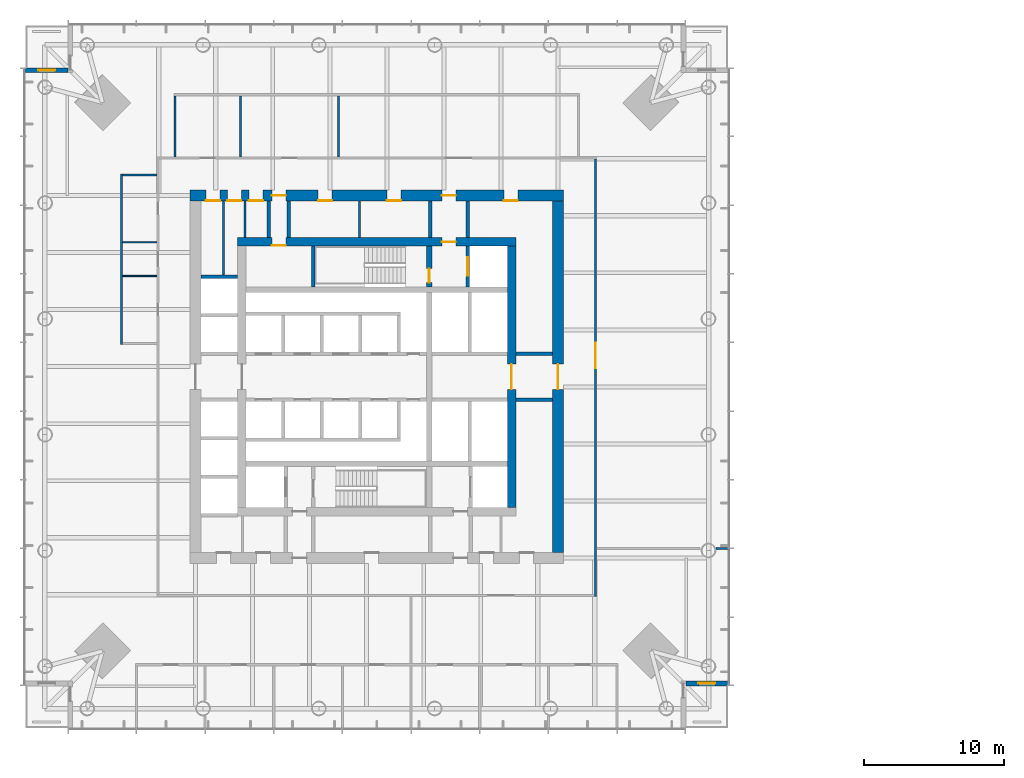
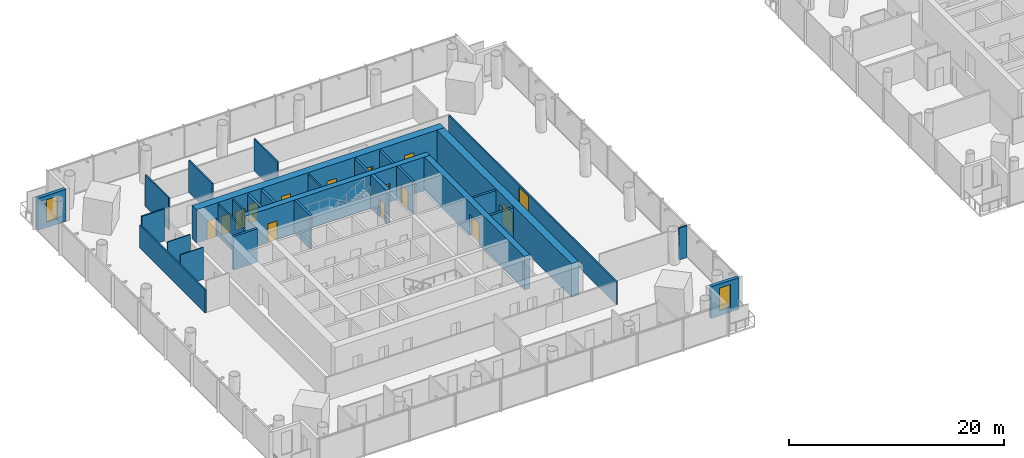
# One storey, part 12 of 21: 28 walls, 15 doors, 2 windows, 17 openings.
"""IFC4 building model written with IfcOpenShell, lengths in metres."""

from ifc_helpers import new_model, si_unit, direction, frame, frame_2d, origin, place, context, subcontext, project, spatial, rectangle, extrude, material, layer, layer_set, type_object, element, fill, save


model = new_model("IFC4")

# Units and contexts
model_context = context("Model", 3, precision=1e-05, world=origin(), true_north=direction((0.0, 1.0)))
body_context = subcontext(model_context, "Body", "Model", "MODEL_VIEW")
ifc_project = project(units=[si_unit("LENGTHUNIT", "METRE"), si_unit("AREAUNIT", "SQUARE_METRE"), si_unit("VOLUMEUNIT", "CUBIC_METRE"), si_unit("PLANEANGLEUNIT", "RADIAN"), si_unit("MASSUNIT", "GRAM", prefix="KILO")], contexts=[model_context])

# Site, building, storey
site_placement = place(None, origin())
site = spatial("IfcSite", under=ifc_project, at=site_placement, CompositionType="ELEMENT")
building_placement = place(site_placement, origin())
building = spatial("IfcBuilding", under=site, at=building_placement, Name="Ostroluk Exchange", CompositionType="ELEMENT")
storey_placement = place(building_placement, frame((0.0, 0.0, 32.39990234375)))
storey = spatial("IfcBuildingStorey", under=building, at=storey_placement, Name="L07", CompositionType="ELEMENT", Elevation=32.39990234375)

# Walls
ifc_material_1 = material(Name="Concrete blockwork", Category="masonry")
ifc_layer_1 = layer(ifc_material_1, 0.10009765625)
ifc_layer_set_1 = layer_set([ifc_layer_1], Name="Blockwork WC wall 100")
wall_type_1 = type_object("IfcWallType", Name="Blockwork WC wall 100", PredefinedType="SOLIDWALL", material=ifc_layer_set_1)
for number, where, z_axis, x_axis, name in (
    (1, (29.35009765625, 55.574951171875, 0.0), (0.0, 0.0, 1.0), (-1.0, 0.0, 0.0), "Blockwork WC wall"),
    (2, (29.35009765625, 53.175048828125, 0.0), (0.0, 0.0, 1.0), (-1.0, 0.0, 0.0), "Blockwork WC wall"),
):
    element("IfcWall", number, at=place(storey_placement, frame(where, z_axis=z_axis, x_axis=x_axis)), inside=storey, type_object=wall_type_1, Name=name, PredefinedType="SOLIDWALL", context=body_context, shape_type="SweptSolid", body=[
        extrude(rectangle(XDim=2.4501953125, YDim=0.10009765625, at=frame_2d((1.22509765625, 0.0))), origin(), (0.0, 0.0, 1.0), 3.6201171875),
    ])
ifc_material_2 = material(Name="Concrete blockwork", Category="masonry")
ifc_layer_2 = layer(ifc_material_2, 0.14990234375)
ifc_layer_set_2 = layer_set([ifc_layer_2], Name="Blockwork plant room wall 150")
wall_type_2 = type_object("IfcWallType", Name="Blockwork plant room wall 150", PredefinedType="SOLIDWALL", material=ifc_layer_set_2)
wall_1_placement = place(storey_placement, frame((34.089599609375, 53.25, 0.0), z_axis=(0.0, 0.0, 1.0), x_axis=(0.0, 1.0, 0.0)))
element("IfcWall", 3, at=wall_1_placement, inside=storey, type_object=wall_type_2, Name="Core room wall", PredefinedType="SOLIDWALL", context=body_context, shape_type="SweptSolid", body=[
    extrude(rectangle(XDim=5.25, YDim=0.14990234375, at=frame_2d((2.625, 0.0))), origin(), (0.0, 0.0, 1.0), 3.6201171875),
])
for number, where, z_axis, x_axis, name in (
    (4, (35.63232421875, 55.89990234375, 0.0), (0.0, 0.0, 1.0), (0.0, 1.0, 0.0), "Core room wall"),
    (5, (43.777587890625, 55.89990234375, 0.0), (0.0, 0.0, 1.0), (0.0, 1.0, 0.0), "Core room wall"),
):
    element("IfcWall", number, at=place(storey_placement, frame(where, z_axis=z_axis, x_axis=x_axis)), inside=storey, type_object=wall_type_2, Name=name, PredefinedType="SOLIDWALL", context=body_context, shape_type="SweptSolid", body=[
        extrude(rectangle(XDim=2.60009765625, YDim=0.14990234375, at=frame_2d((1.300048828125, 0.0))), origin(), (0.0, 0.0, 1.0), 3.6201171875),
    ])
ifc_material_3 = material(Name="Concrete blockwork", Category="masonry")
ifc_layer_3 = layer(ifc_material_3, 0.25)
ifc_layer_set_3 = layer_set([ifc_layer_3], Name="Blockwork stair enclosure wall 250")
wall_type_3 = type_object("IfcWallType", Name="Blockwork stair enclosure wall 250", PredefinedType="SOLIDWALL", material=ifc_layer_set_3)
for number, where, z_axis, x_axis, name in (
    (6, (48.804931640625, 55.89990234375, 0.0), (0.0, 0.0, 1.0), (0.0, 1.0, 0.0), "Fire lobby enclosure wall"),
    (7, (51.47509765625, 55.89990234375, 0.0), (0.0, 0.0, 1.0), (0.0, 1.0, 0.0), "Fire lobby enclosure wall"),
    (8, (54.89990234375, 44.375, 0.0), (0.0, 0.0, 1.0), (1.0, 0.0, 0.0), "Lift lobby enclosure wall"),
    (9, (54.89990234375, 47.625, 0.0), (0.0, 0.0, 1.0), (1.0, 0.0, 0.0), "Lift lobby enclosure wall"),
    (10, (37.300048828125, 55.89990234375, 0.0), (0.0, 0.0, 1.0), (0.0, 1.0, 0.0), "Core corridor wall"),
    (11, (38.75, 55.89990234375, 0.0), (0.0, 0.0, 1.0), (0.0, 1.0, 0.0), "Core corridor wall"),
):
    element("IfcWall", number, at=place(storey_placement, frame(where, z_axis=z_axis, x_axis=x_axis)), inside=storey, type_object=wall_type_3, Name=name, PredefinedType="SOLIDWALL", context=body_context, shape_type="SweptSolid", body=[
        extrude(rectangle(XDim=2.60009765625, YDim=0.25, at=frame_2d((1.300048828125, 0.0))), origin(), (0.0, 0.0, 1.0), 3.6201171875),
    ])

# Wall, opening, door
ifc_material_4 = material(Name="Concrete C50/60", Category="concrete")
ifc_layer_4 = layer(ifc_material_4, 0.39990234375)
ifc_layer_set_4 = layer_set([ifc_layer_4], Name="Core cross wall 400 C50/60")
wall_type_4 = type_object("IfcWallType", Name="Core cross wall 400 C50/60", PredefinedType="SHEAR", material=ifc_layer_set_4)
wall_2_placement = place(storey_placement, frame((48.72998046875, 52.39990234375, 0.0), z_axis=(0.0, 0.0, 1.0), x_axis=(0.0, 1.0, 0.0)))
wall_2 = element("IfcWall", 12, at=wall_2_placement, inside=storey, type_object=wall_type_4, Name="T1 core wall YE3", PredefinedType="SHEAR", context=body_context, shape_type="SweptSolid", body=[
    extrude(rectangle(XDim=2.900146484375, YDim=0.39990234375, at=frame_2d((1.4501953125, 0.0))), origin(), (0.0, 0.0, 1.0), 3.800048828125),
])
opening_1_placement = place(wall_2_placement, frame((0.300048828125, 0.0, 0.0)))
opening_1 = element("IfcOpeningElement", 13, at=opening_1_placement, cuts=wall_2, Name="Opening FD60", PredefinedType="OPENING", context=body_context, shape_type="SweptSolid", body=[
    extrude(rectangle(XDim=1.0, YDim=2.10009765625, at=frame_2d((0.5, 1.050048828125))), frame((0.0, 0.2099609375, 0.0), z_axis=(0.0, -1.0, 0.0), x_axis=(1.0, 0.0, 0.0)), (0.0, 0.0, 1.0), 0.419921875),
])
ifc_material_5 = material(Name="Steel", Category="steel")
door_type_1 = type_object("IfcDoorType", Name="Fire door EI 60 1000 x 2100", OperationType="SINGLE_SWING_LEFT", PredefinedType="DOOR", material=ifc_material_5)
door_1_placement = place(opening_1_placement, origin())
door_1 = element("IfcDoor", 14, at=door_1_placement, inside=storey, type_object=door_type_1, Name="Stair T1-S2 door", OperationType="SINGLE_SWING_LEFT", OverallHeight=2.10009765625, OverallWidth=1.0, PredefinedType="DOOR", context=body_context, shape_type="SweptSolid", body=[
    extrude(rectangle(XDim=1.0, YDim=2.10009765625, at=frame_2d((0.5, 1.050048828125))), frame((0.0, 0.02490234375, 0.0), z_axis=(0.0, -1.0, 0.0), x_axis=(1.0, 0.0, 0.0)), (0.0, 0.0, 1.0), 0.050048828125),
])
fill(opening_1, door_1)

# Wall
ifc_material_6 = material(Name="Concrete C40/50", Category="concrete")
ifc_layer_5 = layer(ifc_material_6, 0.25)
ifc_layer_set_5 = layer_set([ifc_layer_5], Name="Core shaft wall 250")
wall_type_5 = type_object("IfcWallType", Name="Core shaft wall 250", PredefinedType="SHEAR", material=ifc_layer_set_5)
wall_3_placement = place(storey_placement, frame((40.47509765625, 52.39990234375, 0.0), z_axis=(0.0, 0.0, 1.0), x_axis=(0.0, 1.0, 0.0)))
element("IfcWall", 15, at=wall_3_placement, inside=storey, type_object=wall_type_5, Name="Stair shaft wall", PredefinedType="SHEAR", context=body_context, shape_type="SweptSolid", body=[
    extrude(rectangle(XDim=2.900146484375, YDim=0.25, at=frame_2d((1.4501953125, 0.0))), origin(), (0.0, 0.0, 1.0), 3.800048828125),
])

# Wall, opening, door
wall_4_placement = place(storey_placement, frame((51.47509765625, 52.39990234375, 0.0), z_axis=(0.0, 0.0, 1.0), x_axis=(0.0, 1.0, 0.0)))
wall_4 = element("IfcWall", 16, at=wall_4_placement, inside=storey, type_object=wall_type_5, Name="Firefighting lift shaft wall", PredefinedType="SHEAR", context=body_context, shape_type="SweptSolid", body=[
    extrude(rectangle(XDim=2.900146484375, YDim=0.25, at=frame_2d((1.4501953125, 0.0))), origin(), (0.0, 0.0, 1.0), 3.800048828125),
])
opening_2_placement = place(wall_4_placement, frame((0.800048828125, 0.0, 0.0)))
opening_2 = element("IfcOpeningElement", 17, at=opening_2_placement, cuts=wall_4, Name="Opening LD2", PredefinedType="OPENING", context=body_context, shape_type="SweptSolid", body=[
    extrude(rectangle(XDim=1.300048828125, YDim=2.199951171875, at=frame_2d((0.64990234375, 1.10009765625))), frame((0.0, 0.135009765625, 0.0), z_axis=(0.0, -1.0, 0.0), x_axis=(1.0, 0.0, 0.0)), (0.0, 0.0, 1.0), 0.27001953125),
])
ifc_material_7 = material(Name="Stainless steel", Category="steel")
door_type_2 = type_object("IfcDoorType", Name="Lift landing door E 60 1300 x 2200", OperationType="DOUBLE_DOOR_SLIDING", PredefinedType="DOOR", material=ifc_material_7)
door_2_placement = place(opening_2_placement, origin())
door_2 = element("IfcDoor", 18, at=door_2_placement, inside=storey, type_object=door_type_2, Name="Lift FL2 landing door", OperationType="DOUBLE_DOOR_SLIDING", OverallHeight=2.199951171875, OverallWidth=1.300048828125, PredefinedType="DOOR", context=body_context, shape_type="SweptSolid", body=[
    extrude(rectangle(XDim=1.300048828125, YDim=2.199951171875, at=frame_2d((0.64990234375, 1.10009765625))), frame((0.0, 0.02490234375, 0.0), z_axis=(0.0, -1.0, 0.0), x_axis=(1.0, 0.0, 0.0)), (0.0, 0.0, 1.0), 0.050048828125),
])
fill(opening_2, door_2)

# Wall
wall_5_placement = place(storey_placement, frame((32.5, 53.125, 0.0), z_axis=(0.0, 0.0, 1.0), x_axis=(1.0, 0.0, 0.0)))
element("IfcWall", 19, at=wall_5_placement, inside=storey, type_object=wall_type_5, Name="Lift shaft wall", PredefinedType="SHEAR", context=body_context, shape_type="SweptSolid", body=[
    extrude(rectangle(XDim=2.60009765625, YDim=0.25, at=frame_2d((1.300048828125, 0.0))), origin(), (0.0, 0.0, 1.0), 3.800048828125),
])

# Wall, openings, doors
ifc_material_8 = material(Name="Concrete C50/60", Category="concrete")
ifc_layer_6 = layer(ifc_material_8, 0.60009765625)
ifc_layer_set_6 = layer_set([ifc_layer_6], Name="Core wall 600 C50/60")
wall_type_6 = type_object("IfcWallType", Name="Core wall 600 C50/60", PredefinedType="SHEAR", material=ifc_layer_set_6)
wall_6_placement = place(storey_placement, frame((35.10009765625, 55.60009765625, 0.0), z_axis=(0.0, 0.0, 1.0), x_axis=(1.0, 0.0, 0.0)))
wall_6 = element("IfcWall", 20, at=wall_6_placement, inside=storey, type_object=wall_type_6, Name="T1 core wall N", PredefinedType="SHEAR", context=body_context, shape_type="SweptSolid", body=[
    extrude(rectangle(XDim=19.7998046875, YDim=0.60009765625, at=frame_2d((9.89990234375, 0.0))), origin(), (0.0, 0.0, 1.0), 3.800048828125),
])
opening_3_placement = place(wall_6_placement, frame((14.5400390625, 0.0, 0.0)))
opening_3 = element("IfcOpeningElement", 21, at=opening_3_placement, cuts=wall_6, Name="Opening FD60", PredefinedType="OPENING", context=body_context, shape_type="SweptSolid", body=[
    extrude(rectangle(XDim=1.0, YDim=2.10009765625, at=frame_2d((0.5, 1.050048828125))), frame((0.0, 0.31005859375, 0.0), z_axis=(0.0, -1.0, 0.0), x_axis=(1.0, 0.0, 0.0)), (0.0, 0.0, 1.0), 0.6201171875),
])
opening_4_placement = place(wall_6_placement, frame((2.425048828125, 0.0, 0.0)))
opening_4 = element("IfcOpeningElement", 22, at=opening_4_placement, cuts=wall_6, Name="Opening FD60", PredefinedType="OPENING", context=body_context, shape_type="SweptSolid", body=[
    extrude(rectangle(XDim=1.0, YDim=2.10009765625, at=frame_2d((0.5, 1.050048828125))), frame((0.0, 0.31005859375, 0.0), z_axis=(0.0, -1.0, 0.0), x_axis=(1.0, 0.0, 0.0)), (0.0, 0.0, 1.0), 0.6201171875),
])
door_3_placement = place(opening_3_placement, origin())
door_3 = element("IfcDoor", 23, at=door_3_placement, inside=storey, type_object=door_type_1, Name="Firefighting lobby door", OperationType="SINGLE_SWING_RIGHT", OverallHeight=2.10009765625, OverallWidth=1.0, PredefinedType="DOOR", context=body_context, shape_type="SweptSolid", body=[
    extrude(rectangle(XDim=1.0, YDim=2.10009765625, at=frame_2d((0.5, 1.050048828125))), frame((0.0, 0.02490234375, 0.0), z_axis=(0.0, -1.0, 0.0), x_axis=(1.0, 0.0, 0.0)), (0.0, 0.0, 1.0), 0.050048828125),
])
fill(opening_3, door_3)
door_4_placement = place(opening_4_placement, origin())
door_4 = element("IfcDoor", 24, at=door_4_placement, inside=storey, type_object=door_type_1, Name="Tea point door", OperationType="SINGLE_SWING_LEFT", OverallHeight=2.10009765625, OverallWidth=1.0, PredefinedType="DOOR", context=body_context, shape_type="SweptSolid", body=[
    extrude(rectangle(XDim=1.0, YDim=2.10009765625, at=frame_2d((0.5, 1.050048828125))), frame((0.0, -0.23974609375, 0.0), z_axis=(0.0, -1.0, 0.0), x_axis=(1.0, 0.0, 0.0)), (0.0, 0.0, 1.0), 0.050048828125),
])
fill(opening_4, door_4)

# Wall, opening, door
wall_7_placement = place(storey_placement, frame((54.60009765625, 36.699951171875, 0.0), z_axis=(0.0, 0.0, 1.0), x_axis=(0.0, 1.0, 0.0)))
wall_7 = element("IfcWall", 25, at=wall_7_placement, inside=storey, type_object=wall_type_6, Name="T1 core wall E", PredefinedType="SHEAR", context=body_context, shape_type="SweptSolid", body=[
    extrude(rectangle(XDim=18.60009765625, YDim=0.60009765625, at=frame_2d((9.300048828125, 0.0))), origin(), (0.0, 0.0, 1.0), 3.800048828125),
])
opening_5_placement = place(wall_7_placement, frame((8.39990234375, 0.0, 0.0)))
opening_5 = element("IfcOpeningElement", 26, at=opening_5_placement, cuts=wall_7, Name="Opening FD30D", PredefinedType="OPENING", context=body_context, shape_type="SweptSolid", body=[
    extrude(rectangle(XDim=1.800048828125, YDim=2.39990234375, at=frame_2d((0.89990234375, 1.199951171875))), frame((0.0, 0.31005859375, 0.0), z_axis=(0.0, -1.0, 0.0), x_axis=(1.0, 0.0, 0.0)), (0.0, 0.0, 1.0), 0.6201171875),
])
ifc_material_9 = material(Name="Timber", Category="wood")
door_type_3 = type_object("IfcDoorType", Name="Lobby double door EI 30 1800 x 2400", OperationType="DOUBLE_DOOR_SINGLE_SWING", PredefinedType="DOOR", material=ifc_material_9)
door_5_placement = place(opening_5_placement, origin())
door_5 = element("IfcDoor", 27, at=door_5_placement, inside=storey, type_object=door_type_3, Name="Lift lobby doors", OperationType="DOUBLE_DOOR_SINGLE_SWING", OverallHeight=2.39990234375, OverallWidth=1.800048828125, PredefinedType="DOOR", context=body_context, shape_type="SweptSolid", body=[
    extrude(rectangle(XDim=1.800048828125, YDim=2.39990234375, at=frame_2d((0.89990234375, 1.199951171875))), frame((0.0, 0.02490234375, 0.0), z_axis=(0.0, -1.0, 0.0), x_axis=(1.0, 0.0, 0.0)), (0.0, 0.0, 1.0), 0.050048828125),
])
fill(opening_5, door_5)

# Wall, openings, doors
ifc_material_10 = material(Name="Concrete C50/60", Category="concrete")
ifc_layer_7 = layer(ifc_material_10, 0.800048828125)
ifc_layer_set_7 = layer_set([ifc_layer_7], Name="Core wall 800 C50/60")
wall_type_7 = type_object("IfcWallType", Name="Core wall 800 C50/60", PredefinedType="SHEAR", material=ifc_layer_set_7)
wall_8_placement = place(storey_placement, frame((31.699951171875, 58.89990234375, 0.0), z_axis=(0.0, 0.0, 1.0), x_axis=(1.0, 0.0, 0.0)))
wall_8 = element("IfcWall", 28, at=wall_8_placement, inside=storey, type_object=wall_type_7, Name="T1 core wall RN", PredefinedType="SHEAR", context=body_context, shape_type="SweptSolid", body=[
    extrude(rectangle(XDim=26.60009765625, YDim=0.800048828125, at=frame_2d((13.300048828125, 0.0))), origin(), (0.0, 0.0, 1.0), 3.800048828125),
])
opening_6_placement = place(wall_8_placement, frame((17.93994140625, 0.0, 0.0)))
opening_6 = element("IfcOpeningElement", 29, at=opening_6_placement, cuts=wall_8, Name="Opening FD60", PredefinedType="OPENING", context=body_context, shape_type="SweptSolid", body=[
    extrude(rectangle(XDim=1.0, YDim=2.10009765625, at=frame_2d((0.5, 1.050048828125))), frame((0.0, 0.409912109375, 0.0), z_axis=(0.0, -1.0, 0.0), x_axis=(1.0, 0.0, 0.0)), (0.0, 0.0, 1.0), 0.820068359375),
])
opening_7_placement = place(wall_8_placement, frame((5.824951171875, 0.0, 0.0)))
opening_7 = element("IfcOpeningElement", 30, at=opening_7_placement, cuts=wall_8, Name="Opening FD60", PredefinedType="OPENING", context=body_context, shape_type="SweptSolid", body=[
    extrude(rectangle(XDim=1.0, YDim=2.10009765625, at=frame_2d((0.5, 1.050048828125))), frame((0.0, 0.409912109375, 0.0), z_axis=(0.0, -1.0, 0.0), x_axis=(1.0, 0.0, 0.0)), (0.0, 0.0, 1.0), 0.820068359375),
])
opening_8_placement = place(wall_8_placement, frame((1.139404296875, 0.0, 0.0)))
opening_8 = element("IfcOpeningElement", 31, at=opening_8_placement, cuts=wall_8, Name="Opening FD60", PredefinedType="OPENING", context=body_context, shape_type="SweptSolid", body=[
    extrude(rectangle(XDim=1.0, YDim=2.10009765625, at=frame_2d((0.5, 1.050048828125))), frame((0.0, 0.409912109375, 0.0), z_axis=(0.0, -1.0, 0.0), x_axis=(1.0, 0.0, 0.0)), (0.0, 0.0, 1.0), 0.820068359375),
])
opening_9_placement = place(wall_8_placement, frame((2.660888671875, 0.0, 0.0)))
opening_9 = element("IfcOpeningElement", 32, at=opening_9_placement, cuts=wall_8, Name="Opening FD60", PredefinedType="OPENING", context=body_context, shape_type="SweptSolid", body=[
    extrude(rectangle(XDim=1.0, YDim=2.10009765625, at=frame_2d((0.5, 1.050048828125))), frame((0.0, 0.409912109375, 0.0), z_axis=(0.0, -1.0, 0.0), x_axis=(1.0, 0.0, 0.0)), (0.0, 0.0, 1.0), 0.820068359375),
])
opening_10_placement = place(wall_8_placement, frame((4.20361328125, 0.0, 0.0)))
opening_10 = element("IfcOpeningElement", 33, at=opening_10_placement, cuts=wall_8, Name="Opening FD60", PredefinedType="OPENING", context=body_context, shape_type="SweptSolid", body=[
    extrude(rectangle(XDim=1.0, YDim=2.10009765625, at=frame_2d((0.5, 1.050048828125))), frame((0.0, 0.409912109375, 0.0), z_axis=(0.0, -1.0, 0.0), x_axis=(1.0, 0.0, 0.0)), (0.0, 0.0, 1.0), 0.820068359375),
])
opening_11_placement = place(wall_8_placement, frame((9.126220703125, 0.0, 0.0)))
opening_11 = element("IfcOpeningElement", 34, at=opening_11_placement, cuts=wall_8, Name="Opening FD60", PredefinedType="OPENING", context=body_context, shape_type="SweptSolid", body=[
    extrude(rectangle(XDim=1.0, YDim=2.10009765625, at=frame_2d((0.5, 1.050048828125))), frame((0.0, 0.409912109375, 0.0), z_axis=(0.0, -1.0, 0.0), x_axis=(1.0, 0.0, 0.0)), (0.0, 0.0, 1.0), 0.820068359375),
])
opening_12_placement = place(wall_8_placement, frame((14.02880859375, 0.0, 0.0)))
opening_12 = element("IfcOpeningElement", 35, at=opening_12_placement, cuts=wall_8, Name="Opening FD60", PredefinedType="OPENING", context=body_context, shape_type="SweptSolid", body=[
    extrude(rectangle(XDim=1.0, YDim=2.10009765625, at=frame_2d((0.5, 1.050048828125))), frame((0.0, 0.409912109375, 0.0), z_axis=(0.0, -1.0, 0.0), x_axis=(1.0, 0.0, 0.0)), (0.0, 0.0, 1.0), 0.820068359375),
])
opening_13_placement = place(wall_8_placement, frame((22.35009765625, 0.0, 0.0)))
opening_13 = element("IfcOpeningElement", 36, at=opening_13_placement, cuts=wall_8, Name="Opening FD60", PredefinedType="OPENING", context=body_context, shape_type="SweptSolid", body=[
    extrude(rectangle(XDim=1.0, YDim=2.10009765625, at=frame_2d((0.5, 1.050048828125))), frame((0.0, 0.409912109375, 0.0), z_axis=(0.0, -1.0, 0.0), x_axis=(1.0, 0.0, 0.0)), (0.0, 0.0, 1.0), 0.820068359375),
])
door_6_placement = place(opening_6_placement, origin())
door_6 = element("IfcDoor", 37, at=door_6_placement, inside=storey, type_object=door_type_1, Name="Firefighting lobby door", OperationType="SINGLE_SWING_RIGHT", OverallHeight=2.10009765625, OverallWidth=1.0, PredefinedType="DOOR", context=body_context, shape_type="SweptSolid", body=[
    extrude(rectangle(XDim=1.0, YDim=2.10009765625, at=frame_2d((0.5, 1.050048828125))), frame((0.0, 0.02490234375, 0.0), z_axis=(0.0, -1.0, 0.0), x_axis=(1.0, 0.0, 0.0)), (0.0, 0.0, 1.0), 0.050048828125),
])
fill(opening_6, door_6)
door_7_placement = place(opening_7_placement, origin())
door_7 = element("IfcDoor", 38, at=door_7_placement, inside=storey, type_object=door_type_1, Name="Core corridor door", OperationType="SINGLE_SWING_LEFT", OverallHeight=2.10009765625, OverallWidth=1.0, PredefinedType="DOOR", context=body_context, shape_type="SweptSolid", body=[
    extrude(rectangle(XDim=1.0, YDim=2.10009765625, at=frame_2d((0.5, 1.050048828125))), frame((0.0, 0.02490234375, 0.0), z_axis=(0.0, -1.0, 0.0), x_axis=(1.0, 0.0, 0.0)), (0.0, 0.0, 1.0), 0.050048828125),
])
fill(opening_7, door_7)
door_8_placement = place(opening_8_placement, origin())
door_8 = element("IfcDoor", 39, at=door_8_placement, inside=storey, type_object=door_type_1, Name="Tenant IT room door", OperationType="SINGLE_SWING_LEFT", OverallHeight=2.10009765625, OverallWidth=1.0, PredefinedType="DOOR", context=body_context, shape_type="SweptSolid", body=[
    extrude(rectangle(XDim=1.0, YDim=2.10009765625, at=frame_2d((0.5, 1.050048828125))), frame((0.0, -0.33984375, 0.0), z_axis=(0.0, -1.0, 0.0), x_axis=(1.0, 0.0, 0.0)), (0.0, 0.0, 1.0), 0.050048828125),
])
fill(opening_8, door_8)
door_9_placement = place(opening_9_placement, origin())
door_9 = element("IfcDoor", 40, at=door_9_placement, inside=storey, type_object=door_type_1, Name="First aid room door", OperationType="SINGLE_SWING_LEFT", OverallHeight=2.10009765625, OverallWidth=1.0, PredefinedType="DOOR", context=body_context, shape_type="SweptSolid", body=[
    extrude(rectangle(XDim=1.0, YDim=2.10009765625, at=frame_2d((0.5, 1.050048828125))), frame((0.0, -0.33984375, 0.0), z_axis=(0.0, -1.0, 0.0), x_axis=(1.0, 0.0, 0.0)), (0.0, 0.0, 1.0), 0.050048828125),
])
fill(opening_9, door_9)
door_10_placement = place(opening_10_placement, origin())
door_10 = element("IfcDoor", 41, at=door_10_placement, inside=storey, type_object=door_type_1, Name="Store door", OperationType="SINGLE_SWING_LEFT", OverallHeight=2.10009765625, OverallWidth=1.0, PredefinedType="DOOR", context=body_context, shape_type="SweptSolid", body=[
    extrude(rectangle(XDim=1.0, YDim=2.10009765625, at=frame_2d((0.5, 1.050048828125))), frame((0.0, -0.33984375, 0.0), z_axis=(0.0, -1.0, 0.0), x_axis=(1.0, 0.0, 0.0)), (0.0, 0.0, 1.0), 0.050048828125),
])
fill(opening_10, door_10)
door_11_placement = place(opening_11_placement, origin())
door_11 = element("IfcDoor", 42, at=door_11_placement, inside=storey, type_object=door_type_1, Name="Print and post room door", OperationType="SINGLE_SWING_LEFT", OverallHeight=2.10009765625, OverallWidth=1.0, PredefinedType="DOOR", context=body_context, shape_type="SweptSolid", body=[
    extrude(rectangle(XDim=1.0, YDim=2.10009765625, at=frame_2d((0.5, 1.050048828125))), frame((0.0, -0.33984375, 0.0), z_axis=(0.0, -1.0, 0.0), x_axis=(1.0, 0.0, 0.0)), (0.0, 0.0, 1.0), 0.050048828125),
])
fill(opening_11, door_11)
door_12_placement = place(opening_12_placement, origin())
door_12 = element("IfcDoor", 43, at=door_12_placement, inside=storey, type_object=door_type_1, Name="Archive door", OperationType="SINGLE_SWING_RIGHT", OverallHeight=2.10009765625, OverallWidth=1.0, PredefinedType="DOOR", context=body_context, shape_type="SweptSolid", body=[
    extrude(rectangle(XDim=1.0, YDim=2.10009765625, at=frame_2d((0.5, 1.050048828125))), frame((0.0, -0.33984375, 0.0), z_axis=(0.0, -1.0, 0.0), x_axis=(1.0, 0.0, 0.0)), (0.0, 0.0, 1.0), 0.050048828125),
])
fill(opening_12, door_12)
door_13_placement = place(opening_13_placement, origin())
door_13 = element("IfcDoor", 44, at=door_13_placement, inside=storey, type_object=door_type_1, Name="First aid room door", OperationType="SINGLE_SWING_RIGHT", OverallHeight=2.10009765625, OverallWidth=1.0, PredefinedType="DOOR", context=body_context, shape_type="SweptSolid", body=[
    extrude(rectangle(XDim=1.0, YDim=2.10009765625, at=frame_2d((0.5, 1.050048828125))), frame((0.0, -0.33984375, 0.0), z_axis=(0.0, -1.0, 0.0), x_axis=(1.0, 0.0, 0.0)), (0.0, 0.0, 1.0), 0.050048828125),
])
fill(opening_13, door_13)

# Wall, opening, door
wall_9_placement = place(storey_placement, frame((57.89990234375, 33.5, 0.0), z_axis=(0.0, 0.0, 1.0), x_axis=(0.0, 1.0, 0.0)))
wall_9 = element("IfcWall", 45, at=wall_9_placement, inside=storey, type_object=wall_type_7, Name="T1 core wall RE", PredefinedType="SHEAR", context=body_context, shape_type="SweptSolid", body=[
    extrude(rectangle(XDim=25.0, YDim=0.800048828125, at=frame_2d((12.5, 0.0))), origin(), (0.0, 0.0, 1.0), 3.800048828125),
])
opening_14_placement = place(wall_9_placement, frame((11.60009765625, 0.0, 0.0)))
opening_14 = element("IfcOpeningElement", 46, at=opening_14_placement, cuts=wall_9, Name="Opening FD30D", PredefinedType="OPENING", context=body_context, shape_type="SweptSolid", body=[
    extrude(rectangle(XDim=1.800048828125, YDim=2.39990234375, at=frame_2d((0.89990234375, 1.199951171875))), frame((0.0, 0.409912109375, 0.0), z_axis=(0.0, -1.0, 0.0), x_axis=(1.0, 0.0, 0.0)), (0.0, 0.0, 1.0), 0.820068359375),
])
door_14_placement = place(opening_14_placement, origin())
door_14 = element("IfcDoor", 47, at=door_14_placement, inside=storey, type_object=door_type_3, Name="Lift lobby doors", OperationType="DOUBLE_DOOR_SINGLE_SWING", OverallHeight=2.39990234375, OverallWidth=1.800048828125, PredefinedType="DOOR", context=body_context, shape_type="SweptSolid", body=[
    extrude(rectangle(XDim=1.800048828125, YDim=2.39990234375, at=frame_2d((0.89990234375, 1.199951171875))), frame((0.0, 0.02490234375, 0.0), z_axis=(0.0, -1.0, 0.0), x_axis=(1.0, 0.0, 0.0)), (0.0, 0.0, 1.0), 0.050048828125),
])
fill(opening_14, door_14)

# Wall, opening, window
ifc_material_11 = material(Name="Limestone", Category="masonry")
ifc_layer_8 = layer(ifc_material_11, 0.35009765625)
ifc_layer_set_8 = layer_set([ifc_layer_8], Name="Limestone facade wall 350")
wall_type_8 = type_object("IfcWallType", Name="Limestone facade wall 350", PredefinedType="SOLIDWALL", material=ifc_layer_set_8)
wall_10_placement = place(storey_placement, frame((67.0, 24.175048828125, 0.0), z_axis=(0.0, 0.0, 1.0), x_axis=(1.0, 0.0, 0.0)))
wall_10 = element("IfcWall", 48, at=wall_10_placement, inside=storey, type_object=wall_type_8, Name="Office tower SE corner wall L07 b", PredefinedType="SOLIDWALL", context=body_context, shape_type="SweptSolid", body=[
    extrude(rectangle(XDim=3.0, YDim=0.35009765625, at=frame_2d((1.5, 0.0))), origin(), (0.0, 0.0, 1.0), 3.6201171875),
])
opening_15_placement = place(wall_10_placement, frame((0.89990234375, 0.0, 0.60009765625)))
opening_15 = element("IfcOpeningElement", 49, at=opening_15_placement, cuts=wall_10, Name="Opening WN-L1", PredefinedType="OPENING", context=body_context, shape_type="SweptSolid", body=[
    extrude(rectangle(XDim=1.199951171875, YDim=2.550048828125, at=frame_2d((0.60009765625, 1.27490234375))), frame((0.0, 0.18505859375, 0.0), z_axis=(0.0, -1.0, 0.0), x_axis=(1.0, 0.0, 0.0)), (0.0, 0.0, 1.0), 0.3701171875),
])
ifc_material_12 = material(Name="Laminated clear glass", Category="glass")
window_type = type_object("IfcWindowType", Name="Lancet window 1200 x 2550", PartitioningType="SINGLE_PANEL", PredefinedType="WINDOW", material=ifc_material_12)
window_1_placement = place(opening_15_placement, origin())
window_1 = element("IfcWindow", 50, at=window_1_placement, inside=storey, type_object=window_type, Name="Office tower SE lancet window L07", OverallHeight=2.550048828125, OverallWidth=1.199951171875, PartitioningType="SINGLE_PANEL", PredefinedType="WINDOW", context=body_context, shape_type="SweptSolid", body=[
    extrude(rectangle(XDim=1.199951171875, YDim=2.550048828125, at=frame_2d((0.60009765625, 1.27490234375))), frame((0.0, 0.030029296875, 0.0), z_axis=(0.0, -1.0, 0.0), x_axis=(1.0, 0.0, 0.0)), (0.0, 0.0, 1.0), 0.06005859375),
])
fill(opening_15, window_1)

wall_11_placement = place(storey_placement, frame((23.0, 67.824951171875, 0.0), z_axis=(0.0, 0.0, 1.0), x_axis=(-1.0, 0.0, 0.0)))
wall_11 = element("IfcWall", 51, at=wall_11_placement, inside=storey, type_object=wall_type_8, Name="Office tower NW corner wall L07 b", PredefinedType="SOLIDWALL", context=body_context, shape_type="SweptSolid", body=[
    extrude(rectangle(XDim=3.0, YDim=0.35009765625, at=frame_2d((1.5, 0.0))), origin(), (0.0, 0.0, 1.0), 3.6201171875),
])
opening_16_placement = place(wall_11_placement, frame((0.89990234375, 0.0, 0.60009765625)))
opening_16 = element("IfcOpeningElement", 52, at=opening_16_placement, cuts=wall_11, Name="Opening WN-L1", PredefinedType="OPENING", context=body_context, shape_type="SweptSolid", body=[
    extrude(rectangle(XDim=1.199951171875, YDim=2.550048828125, at=frame_2d((0.60009765625, 1.27490234375))), frame((0.0, 0.18505859375, 0.0), z_axis=(0.0, -1.0, 0.0), x_axis=(1.0, 0.0, 0.0)), (0.0, 0.0, 1.0), 0.3701171875),
])
window_2_placement = place(opening_16_placement, origin())
window_2 = element("IfcWindow", 53, at=window_2_placement, inside=storey, type_object=window_type, Name="Office tower NW lancet window L07", OverallHeight=2.550048828125, OverallWidth=1.199951171875, PartitioningType="SINGLE_PANEL", PredefinedType="WINDOW", context=body_context, shape_type="SweptSolid", body=[
    extrude(rectangle(XDim=1.199951171875, YDim=2.550048828125, at=frame_2d((0.60009765625, 1.27490234375))), frame((0.0, 0.030029296875, 0.0), z_axis=(0.0, -1.0, 0.0), x_axis=(1.0, 0.0, 0.0)), (0.0, 0.0, 1.0), 0.06005859375),
])
fill(opening_16, window_2)

# Walls
ifc_material_13 = material(Name="Gypsum plasterboard partition", Category="gypsum")
ifc_layer_9 = layer(ifc_material_13, 0.14990234375)
ifc_layer_set_9 = layer_set([ifc_layer_9], Name="Plasterboard partition 150")
wall_type_9 = type_object("IfcWallType", Name="Plasterboard partition 150", PredefinedType="PARTITIONING", material=ifc_layer_set_9)
for number, where, z_axis, x_axis, name in (
    (54, (42.280517578125, 61.64990234375, 0.0), (0.0, 0.0, 1.0), (0.0, 1.0, 0.0), "Partition"),
    (55, (35.287109375, 61.64990234375, 0.0), (0.0, 0.0, 1.0), (0.0, 1.0, 0.0), "Partition"),
    (56, (30.625, 61.64990234375, 0.0), (0.0, 0.0, 1.0), (0.0, 1.0, 0.0), "Partition"),
):
    element("IfcWall", number, at=place(storey_placement, frame(where, z_axis=z_axis, x_axis=x_axis)), inside=storey, type_object=wall_type_9, Name=name, PredefinedType="PARTITIONING", context=body_context, shape_type="SweptSolid", body=[
        extrude(rectangle(XDim=4.35009765625, YDim=0.14990234375, at=frame_2d((2.175048828125, 0.0))), origin(), (0.0, 0.0, 1.0), 3.6201171875),
    ])
wall_12_placement = place(storey_placement, frame((69.143798828125, 33.77783203125, 0.0), z_axis=(0.0, 0.0, 1.0), x_axis=(1.0, 0.0, 0.0)))
element("IfcWall", 57, at=wall_12_placement, inside=storey, type_object=wall_type_9, Name="Tenancy partition", PredefinedType="PARTITIONING", context=body_context, shape_type="SweptSolid", body=[
    extrude(rectangle(XDim=0.896240234375, YDim=0.14990234375, at=frame_2d((0.4482421875, 0.0))), origin(), (0.0, 0.0, 1.0), 3.6201171875),
])

# Wall, opening, door
wall_13_placement = place(storey_placement, frame((60.574951171875, 30.35009765625, 0.0), z_axis=(0.0, 0.0, 1.0), x_axis=(0.0, 1.0, 0.0)))
wall_13 = element("IfcWall", 58, at=wall_13_placement, inside=storey, type_object=wall_type_9, Name="Corridor wall", PredefinedType="PARTITIONING", context=body_context, shape_type="SweptSolid", body=[
    extrude(rectangle(XDim=31.14990234375, YDim=0.14990234375, at=frame_2d((15.574951171875, 0.0))), origin(), (0.0, 0.0, 1.0), 2.612060546875),
])
opening_17_placement = place(wall_13_placement, frame((16.263916015625, 0.0, 0.0)))
opening_17 = element("IfcOpeningElement", 59, at=opening_17_placement, cuts=wall_13, Name="Opening D-04", PredefinedType="OPENING", context=body_context, shape_type="SweptSolid", body=[
    extrude(rectangle(XDim=1.800048828125, YDim=2.39990234375, at=frame_2d((0.89990234375, 1.199951171875))), frame((0.0, 0.0849609375, 0.0), z_axis=(0.0, -1.0, 0.0), x_axis=(1.0, 0.0, 0.0)), (0.0, 0.0, 1.0), 0.169921875),
])
ifc_material_14 = material(Name="Timber", Category="wood")
door_type_4 = type_object("IfcDoorType", Name="Double door 1800 x 2400", OperationType="DOUBLE_DOOR_SINGLE_SWING", PredefinedType="DOOR", material=ifc_material_14)
door_15_placement = place(opening_17_placement, origin())
door_15 = element("IfcDoor", 60, at=door_15_placement, inside=storey, type_object=door_type_4, Name="Open plan office door", OperationType="DOUBLE_DOOR_SINGLE_SWING", OverallHeight=2.39990234375, OverallWidth=1.800048828125, PredefinedType="DOOR", context=body_context, shape_type="SweptSolid", body=[
    extrude(rectangle(XDim=1.800048828125, YDim=2.39990234375, at=frame_2d((0.89990234375, 1.199951171875))), frame((0.0, 0.02490234375, 0.0), z_axis=(0.0, -1.0, 0.0), x_axis=(1.0, 0.0, 0.0)), (0.0, 0.0, 1.0), 0.050048828125),
])
fill(opening_17, door_15)

# Walls
ifc_material_15 = material(Name="Gypsum plasterboard partition, moisture resistant", Category="gypsum")
ifc_layer_10 = layer(ifc_material_15, 0.14990234375)
ifc_layer_set_10 = layer_set([ifc_layer_10], Name="Plasterboard toilet partition 150")
wall_type_10 = type_object("IfcWallType", Name="Plasterboard toilet partition 150", PredefinedType="PARTITIONING", material=ifc_layer_set_10)
wall_14_placement = place(storey_placement, frame((26.824951171875, 60.449951171875, 0.0), z_axis=(0.0, 0.0, 1.0), x_axis=(0.0, -1.0, 0.0)))
element("IfcWall", 61, at=wall_14_placement, inside=storey, type_object=wall_type_10, Name="Toilet partition", PredefinedType="PARTITIONING", context=body_context, shape_type="SweptSolid", body=[
    extrude(rectangle(XDim=12.14990234375, YDim=0.14990234375, at=frame_2d((6.074951171875, 0.0))), origin(), (0.0, 0.0, 1.0), 2.612060546875),
])
wall_15_placement = place(storey_placement, frame((29.35009765625, 60.375, 0.0), z_axis=(0.0, 0.0, 1.0), x_axis=(-1.0, 0.0, 0.0)))
element("IfcWall", 62, at=wall_15_placement, inside=storey, type_object=wall_type_10, Name="Toilet partition", PredefinedType="PARTITIONING", context=body_context, shape_type="SweptSolid", body=[
    extrude(rectangle(XDim=2.4501953125, YDim=0.14990234375, at=frame_2d((1.22509765625, 0.0))), origin(), (0.0, 0.0, 1.0), 3.6201171875),
])

save(model, "model.ifc")
